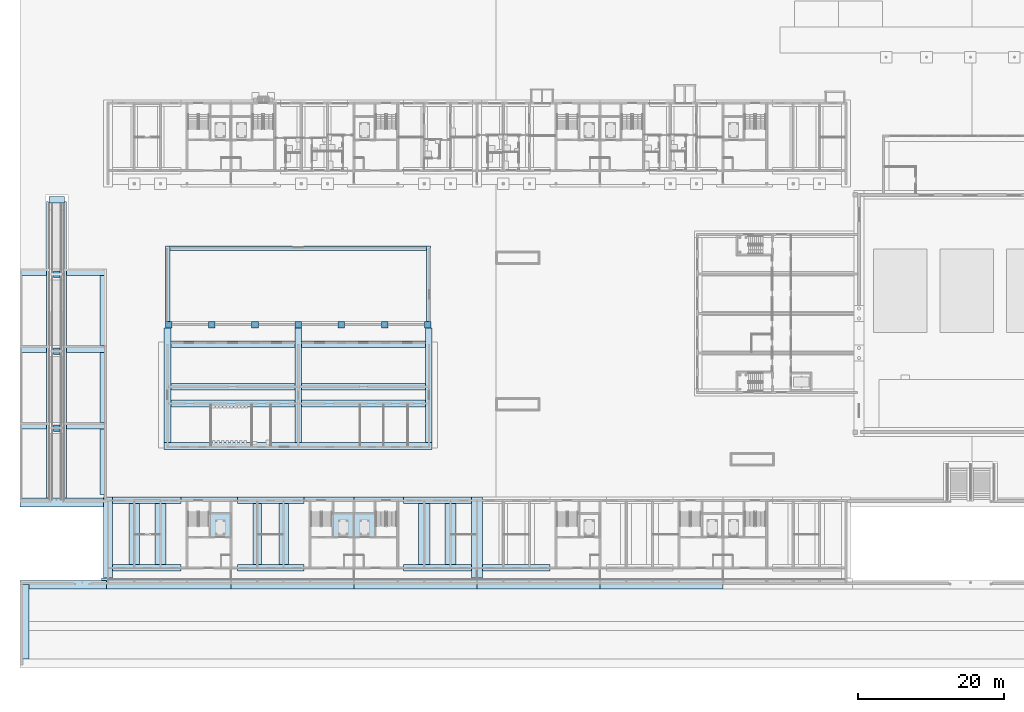
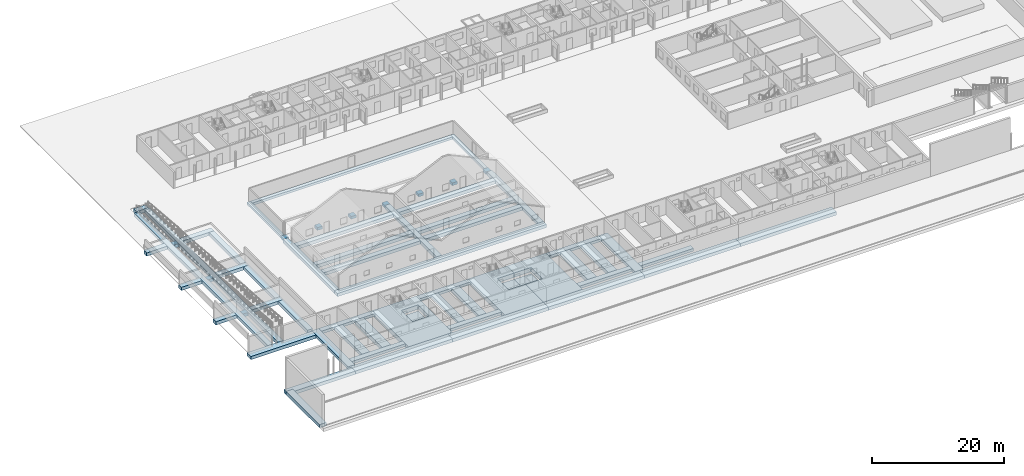
# One storey, part 1 of 112: 64 footings.
"""IFC4 building model written with IfcOpenShell, lengths in metres."""

from ifc_helpers import new_model, si_unit, direction, frame, origin, place, context, subcontext, project, spatial, polyline, outline, extrude, material, type_object, element, save


model = new_model("IFC4")

# Units and contexts
model_context = context("Model", 3, precision=1e-05, world=origin(), true_north=direction((0.0, 1.0)))
body_context = subcontext(model_context, "Body", "Model", "MODEL_VIEW")
ifc_project = project(units=[si_unit("LENGTHUNIT", "METRE"), si_unit("AREAUNIT", "SQUARE_METRE"), si_unit("VOLUMEUNIT", "CUBIC_METRE"), si_unit("PLANEANGLEUNIT", "RADIAN"), si_unit("MASSUNIT", "GRAM", prefix="KILO")], contexts=[model_context])

# Site, building, storey
site_placement = place(None, origin())
site = spatial("IfcSite", under=ifc_project, at=site_placement, CompositionType="ELEMENT")
building_placement = place(site_placement, origin())
building = spatial("IfcBuilding", under=site, at=building_placement, Name="Ridgestep Commons", CompositionType="ELEMENT")
storey_placement = place(building_placement, origin())
storey = spatial("IfcBuildingStorey", under=building, at=storey_placement, Name="L00", CompositionType="ELEMENT", Elevation=0.0)

# Footings
ifc_material_1 = material(Name="Concrete C30/37", Category="concrete")
footing_type_1 = type_object("IfcFootingType", Name="Community pad footing 900 x 900", PredefinedType="PAD_FOOTING", material=ifc_material_1)
footing_1_placement = place(storey_placement, frame((0.0, 0.0, -0.75)))
element("IfcFooting", 1, at=footing_1_placement, inside=storey, type_object=footing_type_1, Name="Pad footing 900 x 900", PredefinedType="PAD_FOOTING", context=body_context, shape_type="SweptSolid", body=[
    extrude(outline(polyline([(19.85009765625, 46.419921875), (20.75, 46.419921875), (20.75, 47.320068359375), (19.85009765625, 47.320068359375), (19.85009765625, 46.419921875)])), origin(), (0.0, 0.0, 1.0), 0.5),
])
footing_2_placement = place(storey_placement, frame((0.0, 0.0, -0.75)))
element("IfcFooting", 2, at=footing_2_placement, inside=storey, type_object=footing_type_1, Name="Pad footing 900 x 900", PredefinedType="PAD_FOOTING", context=body_context, shape_type="SweptSolid", body=[
    extrude(outline(polyline([(25.75, 46.419921875), (26.64990234375, 46.419921875), (26.64990234375, 47.320068359375), (25.75, 47.320068359375), (25.75, 46.419921875)])), origin(), (0.0, 0.0, 1.0), 0.5),
])
footing_3_placement = place(storey_placement, frame((0.0, 0.0, -0.75)))
element("IfcFooting", 3, at=footing_3_placement, inside=storey, type_object=footing_type_1, Name="Pad footing 900 x 900", PredefinedType="PAD_FOOTING", context=body_context, shape_type="SweptSolid", body=[
    extrude(outline(polyline([(31.64990234375, 46.419921875), (32.550048828125, 46.419921875), (32.550048828125, 47.320068359375), (31.64990234375, 47.320068359375), (31.64990234375, 46.419921875)])), origin(), (0.0, 0.0, 1.0), 0.5),
])
footing_4_placement = place(storey_placement, frame((0.0, 0.0, -0.75)))
element("IfcFooting", 4, at=footing_4_placement, inside=storey, type_object=footing_type_1, Name="Pad footing 900 x 900", PredefinedType="PAD_FOOTING", context=body_context, shape_type="SweptSolid", body=[
    extrude(outline(polyline([(37.550048828125, 46.419921875), (38.449951171875, 46.419921875), (38.449951171875, 47.320068359375), (37.550048828125, 47.320068359375), (37.550048828125, 46.419921875)])), origin(), (0.0, 0.0, 1.0), 0.5),
])
footing_5_placement = place(storey_placement, frame((0.0, 0.0, -0.75)))
element("IfcFooting", 5, at=footing_5_placement, inside=storey, type_object=footing_type_1, Name="Pad footing 900 x 900", PredefinedType="PAD_FOOTING", context=body_context, shape_type="SweptSolid", body=[
    extrude(outline(polyline([(43.449951171875, 46.419921875), (44.35009765625, 46.419921875), (44.35009765625, 47.320068359375), (43.449951171875, 47.320068359375), (43.449951171875, 46.419921875)])), origin(), (0.0, 0.0, 1.0), 0.5),
])
footing_6_placement = place(storey_placement, frame((0.0, 0.0, -0.75)))
element("IfcFooting", 6, at=footing_6_placement, inside=storey, type_object=footing_type_1, Name="Pad footing 900 x 900", PredefinedType="PAD_FOOTING", context=body_context, shape_type="SweptSolid", body=[
    extrude(outline(polyline([(49.35009765625, 46.419921875), (50.25, 46.419921875), (50.25, 47.320068359375), (49.35009765625, 47.320068359375), (49.35009765625, 46.419921875)])), origin(), (0.0, 0.0, 1.0), 0.5),
])
footing_7_placement = place(storey_placement, frame((0.0, 0.0, -0.75)))
element("IfcFooting", 7, at=footing_7_placement, inside=storey, type_object=footing_type_1, Name="Pad footing 900 x 900", PredefinedType="PAD_FOOTING", context=body_context, shape_type="SweptSolid", body=[
    extrude(outline(polyline([(55.25, 46.419921875), (56.14990234375, 46.419921875), (56.14990234375, 47.320068359375), (55.25, 47.320068359375), (55.25, 46.419921875)])), origin(), (0.0, 0.0, 1.0), 0.5),
])
ifc_material_2 = material(Name="Concrete C30/37", Category="concrete")
footing_type_2 = type_object("IfcFootingType", Name="Community strip footing 1200 x 600", PredefinedType="STRIP_FOOTING", material=ifc_material_2)
footing_8_placement = place(storey_placement, frame((0.0, 0.0, -0.85009765625)))
element("IfcFooting", 8, at=footing_8_placement, inside=storey, type_object=footing_type_2, Name="Strip footing 1200 x 600", PredefinedType="STRIP_FOOTING", context=body_context, shape_type="SweptSolid", body=[
    extrude(outline(polyline([(0.001953125, 22.0), (11.800048828125, 22.0), (11.800048828125, 23.199951171875), (0.001953125, 23.199951171875), (0.001953125, 22.0)])), origin(), (0.0, 0.0, 1.0), 0.60009765625),
])
footing_9_placement = place(storey_placement, frame((0.0, 0.0, -0.85009765625)))
element("IfcFooting", 9, at=footing_9_placement, inside=storey, type_object=footing_type_2, Name="Strip footing 1200 x 600", PredefinedType="STRIP_FOOTING", context=body_context, shape_type="SweptSolid", body=[
    extrude(outline(polyline([(0.001953125, 10.75), (11.800048828125, 10.75), (11.800048828125, 11.949951171875), (0.001953125, 11.949951171875), (0.001953125, 10.75)])), origin(), (0.0, 0.0, 1.0), 0.60009765625),
])
footing_10_placement = place(storey_placement, frame((0.0, 0.0, -0.85009765625)))
element("IfcFooting", 10, at=footing_10_placement, inside=storey, type_object=footing_type_2, Name="Strip footing 1200 x 600", PredefinedType="STRIP_FOOTING", context=body_context, shape_type="SweptSolid", body=[
    extrude(outline(polyline([(0.001953125, 1.199951171875), (1.201904296875, 1.199951171875), (1.201904296875, 11.35009765625), (0.001953125, 11.35009765625), (0.001953125, 1.199951171875)])), origin(), (0.0, 0.0, 1.0), 0.60009765625),
])
ifc_material_3 = material(Name="Concrete C30/37", Category="concrete")
footing_type_3 = type_object("IfcFootingType", Name="Community strip footing 600 x 450", PredefinedType="STRIP_FOOTING", material=ifc_material_3)
footing_11_placement = place(storey_placement, frame((0.0, 0.0, -0.699951171875)))
element("IfcFooting", 11, at=footing_11_placement, inside=storey, type_object=footing_type_3, Name="Community strip footing 600 x 450", PredefinedType="STRIP_FOOTING", context=body_context, shape_type="SweptSolid", body=[
    extrude(outline(polyline([(19.89990234375, 47.0), (20.5, 47.0), (20.5, 57.60009765625), (19.89990234375, 57.60009765625), (19.89990234375, 47.0)])), origin(), (0.0, 0.0, 1.0), 0.449951171875),
])
footing_12_placement = place(storey_placement, frame((0.0, 0.0, -0.699951171875)))
element("IfcFooting", 12, at=footing_12_placement, inside=storey, type_object=footing_type_3, Name="Community strip footing 600 x 450", PredefinedType="STRIP_FOOTING", context=body_context, shape_type="SweptSolid", body=[
    extrude(outline(polyline([(55.5, 47.0), (56.10009765625, 47.0), (56.10009765625, 57.60009765625), (55.5, 57.60009765625), (55.5, 47.0)])), origin(), (0.0, 0.0, 1.0), 0.449951171875),
])
footing_13_placement = place(storey_placement, frame((0.0, 0.0, -0.699951171875)))
element("IfcFooting", 13, at=footing_13_placement, inside=storey, type_object=footing_type_3, Name="Community strip footing 600 x 450", PredefinedType="STRIP_FOOTING", context=body_context, shape_type="SweptSolid", body=[
    extrude(outline(polyline([(20.5, 57.0), (55.5, 57.0), (55.5, 57.60009765625), (20.5, 57.60009765625), (20.5, 57.0)])), origin(), (0.0, 0.0, 1.0), 0.449951171875),
])
ifc_material_4 = material(Name="Concrete C30/37", Category="concrete")
footing_type_4 = type_object("IfcFootingType", Name="Community strip footing 900 x 600", PredefinedType="STRIP_FOOTING", material=ifc_material_4)
footing_14_placement = place(storey_placement, frame((0.0, 0.0, -0.85009765625)))
element("IfcFooting", 14, at=footing_14_placement, inside=storey, type_object=footing_type_4, Name="Community strip footing 900 x 600", PredefinedType="STRIP_FOOTING", context=body_context, shape_type="SweptSolid", body=[
    extrude(outline(polyline([(19.699951171875, 29.85009765625), (56.300048828125, 29.85009765625), (56.300048828125, 30.75), (19.699951171875, 30.75), (19.699951171875, 29.85009765625)])), origin(), (0.0, 0.0, 1.0), 0.60009765625),
])
footing_15_placement = place(storey_placement, frame((0.0, 0.0, -0.85009765625)))
element("IfcFooting", 15, at=footing_15_placement, inside=storey, type_object=footing_type_4, Name="Community strip footing 900 x 600", PredefinedType="STRIP_FOOTING", context=body_context, shape_type="SweptSolid", body=[
    extrude(outline(polyline([(20.60009765625, 43.75), (37.550048828125, 43.75), (37.550048828125, 44.64990234375), (20.60009765625, 44.64990234375), (20.60009765625, 43.75)])), origin(), (0.0, 0.0, 1.0), 0.60009765625),
])
footing_16_placement = place(storey_placement, frame((0.0, 0.0, -0.85009765625)))
element("IfcFooting", 16, at=footing_16_placement, inside=storey, type_object=footing_type_4, Name="Community strip footing 900 x 600", PredefinedType="STRIP_FOOTING", context=body_context, shape_type="SweptSolid", body=[
    extrude(outline(polyline([(38.449951171875, 43.75), (55.39990234375, 43.75), (55.39990234375, 44.64990234375), (38.449951171875, 44.64990234375), (38.449951171875, 43.75)])), origin(), (0.0, 0.0, 1.0), 0.60009765625),
])
footing_17_placement = place(storey_placement, frame((0.0, 0.0, -0.85009765625)))
element("IfcFooting", 17, at=footing_17_placement, inside=storey, type_object=footing_type_4, Name="Community strip footing 900 x 600", PredefinedType="STRIP_FOOTING", context=body_context, shape_type="SweptSolid", body=[
    extrude(outline(polyline([(19.699951171875, 30.75), (20.60009765625, 30.75), (20.60009765625, 46.419921875), (19.699951171875, 46.419921875), (19.699951171875, 30.75)])), origin(), (0.0, 0.0, 1.0), 0.60009765625),
])
footing_18_placement = place(storey_placement, frame((0.0, 0.0, -0.85009765625)))
element("IfcFooting", 18, at=footing_18_placement, inside=storey, type_object=footing_type_4, Name="Community strip footing 900 x 600", PredefinedType="STRIP_FOOTING", context=body_context, shape_type="SweptSolid", body=[
    extrude(outline(polyline([(55.39990234375, 30.75), (56.300048828125, 30.75), (56.300048828125, 46.419921875), (55.39990234375, 46.419921875), (55.39990234375, 30.75)])), origin(), (0.0, 0.0, 1.0), 0.60009765625),
])
footing_19_placement = place(storey_placement, frame((0.0, 0.0, -0.85009765625)))
element("IfcFooting", 19, at=footing_19_placement, inside=storey, type_object=footing_type_4, Name="Community strip footing 900 x 600", PredefinedType="STRIP_FOOTING", context=body_context, shape_type="SweptSolid", body=[
    extrude(outline(polyline([(37.550048828125, 30.75), (38.449951171875, 30.75), (38.449951171875, 46.419921875), (37.550048828125, 46.419921875), (37.550048828125, 30.75)])), origin(), (0.0, 0.0, 1.0), 0.60009765625),
])
footing_20_placement = place(storey_placement, frame((0.0, 0.0, -0.85009765625)))
element("IfcFooting", 20, at=footing_20_placement, inside=storey, type_object=footing_type_4, Name="Community strip footing 900 x 600", PredefinedType="STRIP_FOOTING", context=body_context, shape_type="SweptSolid", body=[
    extrude(outline(polyline([(20.60009765625, 35.64990234375), (37.550048828125, 35.64990234375), (37.550048828125, 36.550048828125), (20.60009765625, 36.550048828125), (20.60009765625, 35.64990234375)])), origin(), (0.0, 0.0, 1.0), 0.60009765625),
])
footing_21_placement = place(storey_placement, frame((0.0, 0.0, -0.85009765625)))
element("IfcFooting", 21, at=footing_21_placement, inside=storey, type_object=footing_type_4, Name="Community strip footing 900 x 600", PredefinedType="STRIP_FOOTING", context=body_context, shape_type="SweptSolid", body=[
    extrude(outline(polyline([(38.449951171875, 35.64990234375), (55.39990234375, 35.64990234375), (55.39990234375, 36.550048828125), (38.449951171875, 36.550048828125), (38.449951171875, 35.64990234375)])), origin(), (0.0, 0.0, 1.0), 0.60009765625),
])
footing_22_placement = place(storey_placement, frame((0.0, 0.0, -0.85009765625)))
element("IfcFooting", 22, at=footing_22_placement, inside=storey, type_object=footing_type_4, Name="Community strip footing 900 x 600", PredefinedType="STRIP_FOOTING", context=body_context, shape_type="SweptSolid", body=[
    extrude(outline(polyline([(20.60009765625, 37.949951171875), (37.550048828125, 37.949951171875), (37.550048828125, 38.85009765625), (20.60009765625, 38.85009765625), (20.60009765625, 37.949951171875)])), origin(), (0.0, 0.0, 1.0), 0.60009765625),
])
footing_23_placement = place(storey_placement, frame((0.0, 0.0, -0.85009765625)))
element("IfcFooting", 23, at=footing_23_placement, inside=storey, type_object=footing_type_4, Name="Community strip footing 900 x 600", PredefinedType="STRIP_FOOTING", context=body_context, shape_type="SweptSolid", body=[
    extrude(outline(polyline([(38.449951171875, 37.949951171875), (55.39990234375, 37.949951171875), (55.39990234375, 38.85009765625), (38.449951171875, 38.85009765625), (38.449951171875, 37.949951171875)])), origin(), (0.0, 0.0, 1.0), 0.60009765625),
])
footing_24_placement = place(storey_placement, frame((0.0, 0.0, -0.85009765625)))
element("IfcFooting", 24, at=footing_24_placement, inside=storey, type_object=footing_type_4, Name="Strip footing 900 x 600", PredefinedType="STRIP_FOOTING", context=body_context, shape_type="SweptSolid", body=[
    extrude(outline(polyline([(3.64990234375, 22.800048828125), (4.550048828125, 22.800048828125), (4.550048828125, 63.699951171875), (3.64990234375, 63.699951171875), (3.64990234375, 22.800048828125)])), origin(), (0.0, 0.0, 1.0), 0.60009765625),
])
footing_25_placement = place(storey_placement, frame((0.0, 0.0, -0.85009765625)))
element("IfcFooting", 25, at=footing_25_placement, inside=storey, type_object=footing_type_4, Name="Strip footing 900 x 600", PredefinedType="STRIP_FOOTING", context=body_context, shape_type="SweptSolid", body=[
    extrude(outline(polyline([(5.449951171875, 22.800048828125), (6.35009765625, 22.800048828125), (6.35009765625, 63.699951171875), (5.449951171875, 63.699951171875), (5.449951171875, 22.800048828125)])), origin(), (0.0, 0.0, 1.0), 0.60009765625),
])
footing_26_placement = place(storey_placement, frame((0.0, 0.0, -0.60009765625)))
element("IfcFooting", 26, at=footing_26_placement, inside=storey, type_object=footing_type_4, Name="Ramp foot footing", PredefinedType="STRIP_FOOTING", context=body_context, shape_type="SweptSolid", body=[
    extrude(outline(polyline([(3.949951171875, 63.49951171875), (6.050048828125, 63.49951171875), (6.050048828125, 64.39990234375), (3.949951171875, 64.39990234375), (3.949951171875, 63.49951171875)])), origin(), (0.0, 0.0, 1.0), 0.60009765625),
])
footing_27_placement = place(storey_placement, frame((0.0, 0.0, -0.85009765625)))
element("IfcFooting", 27, at=footing_27_placement, inside=storey, type_object=footing_type_4, Name="Strip footing 900 x 600", PredefinedType="STRIP_FOOTING", context=body_context, shape_type="SweptSolid", body=[
    extrude(outline(polyline([(4.550048828125, 53.300048828125), (5.449951171875, 53.300048828125), (5.449951171875, 54.199951171875), (4.550048828125, 54.199951171875), (4.550048828125, 53.300048828125)])), origin(), (0.0, 0.0, 1.0), 0.60009765625),
])
footing_28_placement = place(storey_placement, frame((0.0, 0.0, -0.85009765625)))
element("IfcFooting", 28, at=footing_28_placement, inside=storey, type_object=footing_type_4, Name="Strip footing 900 x 600", PredefinedType="STRIP_FOOTING", context=body_context, shape_type="SweptSolid", body=[
    extrude(outline(polyline([(4.550048828125, 42.800048828125), (5.449951171875, 42.800048828125), (5.449951171875, 43.699951171875), (4.550048828125, 43.699951171875), (4.550048828125, 42.800048828125)])), origin(), (0.0, 0.0, 1.0), 0.60009765625),
])
footing_29_placement = place(storey_placement, frame((0.0, 0.0, -0.85009765625)))
element("IfcFooting", 29, at=footing_29_placement, inside=storey, type_object=footing_type_4, Name="Strip footing 900 x 600", PredefinedType="STRIP_FOOTING", context=body_context, shape_type="SweptSolid", body=[
    extrude(outline(polyline([(4.550048828125, 32.300048828125), (5.449951171875, 32.300048828125), (5.449951171875, 33.199951171875), (4.550048828125, 33.199951171875), (4.550048828125, 32.300048828125)])), origin(), (0.0, 0.0, 1.0), 0.60009765625),
])
footing_30_placement = place(storey_placement, frame((0.0, 0.0, -0.85009765625)))
element("IfcFooting", 30, at=footing_30_placement, inside=storey, type_object=footing_type_4, Name="Strip footing 900 x 600", PredefinedType="STRIP_FOOTING", context=body_context, shape_type="SweptSolid", body=[
    extrude(outline(polyline([(10.89990234375, 44.0), (11.800048828125, 44.0), (11.800048828125, 53.60009765625), (10.89990234375, 53.60009765625), (10.89990234375, 44.0)])), origin(), (0.0, 0.0, 1.0), 0.60009765625),
])
footing_31_placement = place(storey_placement, frame((0.0, 0.0, -0.85009765625)))
element("IfcFooting", 31, at=footing_31_placement, inside=storey, type_object=footing_type_4, Name="Strip footing 900 x 600", PredefinedType="STRIP_FOOTING", context=body_context, shape_type="SweptSolid", body=[
    extrude(outline(polyline([(0.010009765625, 53.60009765625), (3.64990234375, 53.60009765625), (3.64990234375, 54.5), (0.010009765625, 54.5), (0.010009765625, 53.60009765625)])), origin(), (0.0, 0.0, 1.0), 0.60009765625),
])
footing_32_placement = place(storey_placement, frame((0.0, 0.0, -0.85009765625)))
element("IfcFooting", 32, at=footing_32_placement, inside=storey, type_object=footing_type_4, Name="Strip footing 900 x 600", PredefinedType="STRIP_FOOTING", context=body_context, shape_type="SweptSolid", body=[
    extrude(outline(polyline([(6.35009765625, 53.60009765625), (11.800048828125, 53.60009765625), (11.800048828125, 54.5), (6.35009765625, 54.5), (6.35009765625, 53.60009765625)])), origin(), (0.0, 0.0, 1.0), 0.60009765625),
])
footing_33_placement = place(storey_placement, frame((0.0, 0.0, -0.85009765625)))
element("IfcFooting", 33, at=footing_33_placement, inside=storey, type_object=footing_type_4, Name="Strip footing 900 x 600", PredefinedType="STRIP_FOOTING", context=body_context, shape_type="SweptSolid", body=[
    extrude(outline(polyline([(10.89990234375, 33.5), (11.800048828125, 33.5), (11.800048828125, 43.10009765625), (10.89990234375, 43.10009765625), (10.89990234375, 33.5)])), origin(), (0.0, 0.0, 1.0), 0.60009765625),
])
footing_34_placement = place(storey_placement, frame((0.0, 0.0, -0.85009765625)))
element("IfcFooting", 34, at=footing_34_placement, inside=storey, type_object=footing_type_4, Name="Strip footing 900 x 600", PredefinedType="STRIP_FOOTING", context=body_context, shape_type="SweptSolid", body=[
    extrude(outline(polyline([(0.010009765625, 43.10009765625), (3.64990234375, 43.10009765625), (3.64990234375, 44.0), (0.010009765625, 44.0), (0.010009765625, 43.10009765625)])), origin(), (0.0, 0.0, 1.0), 0.60009765625),
])
footing_35_placement = place(storey_placement, frame((0.0, 0.0, -0.85009765625)))
element("IfcFooting", 35, at=footing_35_placement, inside=storey, type_object=footing_type_4, Name="Strip footing 900 x 600", PredefinedType="STRIP_FOOTING", context=body_context, shape_type="SweptSolid", body=[
    extrude(outline(polyline([(6.35009765625, 43.10009765625), (11.800048828125, 43.10009765625), (11.800048828125, 44.0), (6.35009765625, 44.0), (6.35009765625, 43.10009765625)])), origin(), (0.0, 0.0, 1.0), 0.60009765625),
])
footing_36_placement = place(storey_placement, frame((0.0, 0.0, -0.85009765625)))
element("IfcFooting", 36, at=footing_36_placement, inside=storey, type_object=footing_type_4, Name="Strip footing 900 x 600", PredefinedType="STRIP_FOOTING", context=body_context, shape_type="SweptSolid", body=[
    extrude(outline(polyline([(10.89990234375, 23.699951171875), (11.800048828125, 23.699951171875), (11.800048828125, 32.60009765625), (10.89990234375, 32.60009765625), (10.89990234375, 23.699951171875)])), origin(), (0.0, 0.0, 1.0), 0.60009765625),
])
footing_37_placement = place(storey_placement, frame((0.0, 0.0, -0.85009765625)))
element("IfcFooting", 37, at=footing_37_placement, inside=storey, type_object=footing_type_4, Name="Strip footing 900 x 600", PredefinedType="STRIP_FOOTING", context=body_context, shape_type="SweptSolid", body=[
    extrude(outline(polyline([(0.010009765625, 32.60009765625), (3.64990234375, 32.60009765625), (3.64990234375, 33.5), (0.010009765625, 33.5), (0.010009765625, 32.60009765625)])), origin(), (0.0, 0.0, 1.0), 0.60009765625),
])
footing_38_placement = place(storey_placement, frame((0.0, 0.0, -0.85009765625)))
element("IfcFooting", 38, at=footing_38_placement, inside=storey, type_object=footing_type_4, Name="Strip footing 900 x 600", PredefinedType="STRIP_FOOTING", context=body_context, shape_type="SweptSolid", body=[
    extrude(outline(polyline([(6.35009765625, 32.60009765625), (11.800048828125, 32.60009765625), (11.800048828125, 33.5), (6.35009765625, 33.5), (6.35009765625, 32.60009765625)])), origin(), (0.0, 0.0, 1.0), 0.60009765625),
])
ifc_material_5 = material(Name="Concrete C30/37", Category="concrete")
footing_type_5 = type_object("IfcFootingType", Name="Core footing 6800 x 11075 x 800", PredefinedType="PAD_FOOTING", material=ifc_material_5)
footing_39_placement = place(storey_placement, frame((0.0, 0.0, -1.050048828125)))
element("IfcFooting", 39, at=footing_39_placement, inside=storey, type_object=footing_type_5, Name="Core footing A2C", PredefinedType="PAD_FOOTING", context=body_context, shape_type="SweptSolid", body=[
    extrude(outline(polyline([(45.60009765625, 12.25), (45.60009765625, 17.75), (42.625, 17.75), (42.625, 21.14990234375), (45.60009765625, 21.14990234375), (45.60009765625, 23.324951171875), (38.800048828125, 23.324951171875), (38.800048828125, 12.25), (45.60009765625, 12.25)])), origin(), (0.0, 0.0, 1.0), 0.800048828125),
])
footing_40_placement = place(storey_placement, frame((0.0, 0.0, -1.050048828125)))
element("IfcFooting", 40, at=footing_40_placement, inside=storey, type_object=footing_type_5, Name="Core footing A3C", PredefinedType="PAD_FOOTING", context=body_context, shape_type="SweptSolid", body=[
    extrude(outline(polyline([(45.60009765625, 23.324951171875), (45.60009765625, 21.14990234375), (48.574951171875, 21.14990234375), (48.574951171875, 17.75), (45.60009765625, 17.75), (45.60009765625, 12.25), (52.39990234375, 12.25), (52.39990234375, 23.324951171875), (45.60009765625, 23.324951171875)])), origin(), (0.0, 0.0, 1.0), 0.800048828125),
])
ifc_material_6 = material(Name="Concrete C30/37", Category="concrete")
footing_type_6 = type_object("IfcFootingType", Name="Core footing 7700 x 11075 x 800", PredefinedType="PAD_FOOTING", material=ifc_material_6)
footing_41_placement = place(storey_placement, frame((0.0, 0.0, -1.050048828125)))
element("IfcFooting", 41, at=footing_41_placement, inside=storey, type_object=footing_type_6, Name="Core footing A1C", PredefinedType="PAD_FOOTING", context=body_context, shape_type="SweptSolid", body=[
    extrude(outline(polyline([(22.0, 12.25), (29.699951171875, 12.25), (29.699951171875, 23.324951171875), (22.0, 23.324951171875), (22.0, 12.25)]), holes=[polyline([(28.800048828125, 21.14990234375), (28.800048828125, 17.75), (25.824951171875, 17.75), (25.824951171875, 21.14990234375), (28.800048828125, 21.14990234375)])]), origin(), (0.0, 0.0, 1.0), 0.800048828125),
])
ifc_material_7 = material(Name="Concrete C30/37", Category="concrete")
footing_type_7 = type_object("IfcFootingType", Name="Lift pit footing 2975 x 3400 x 400", PredefinedType="PAD_FOOTING", material=ifc_material_7)
footing_42_placement = place(storey_placement, frame((0.0, 0.0, -1.800048828125)))
element("IfcFooting", 42, at=footing_42_placement, inside=storey, type_object=footing_type_7, Name="Lift pit footing A1C", PredefinedType="PAD_FOOTING", context=body_context, shape_type="SweptSolid", body=[
    extrude(outline(polyline([(28.800048828125, 17.75), (28.800048828125, 21.14990234375), (25.824951171875, 21.14990234375), (25.824951171875, 17.75), (28.800048828125, 17.75)])), origin(), (0.0, 0.0, 1.0), 0.400146484375),
])
footing_43_placement = place(storey_placement, frame((0.0, 0.0, -1.800048828125)))
element("IfcFooting", 43, at=footing_43_placement, inside=storey, type_object=footing_type_7, Name="Lift pit footing A2C", PredefinedType="PAD_FOOTING", context=body_context, shape_type="SweptSolid", body=[
    extrude(outline(polyline([(45.60009765625, 17.75), (45.60009765625, 21.14990234375), (42.625, 21.14990234375), (42.625, 17.75), (45.60009765625, 17.75)])), origin(), (0.0, 0.0, 1.0), 0.400146484375),
])
footing_44_placement = place(storey_placement, frame((0.0, 0.0, -1.800048828125)))
element("IfcFooting", 44, at=footing_44_placement, inside=storey, type_object=footing_type_7, Name="Lift pit footing A3C", PredefinedType="PAD_FOOTING", context=body_context, shape_type="SweptSolid", body=[
    extrude(outline(polyline([(48.574951171875, 17.75), (48.574951171875, 21.14990234375), (45.60009765625, 21.14990234375), (45.60009765625, 17.75), (48.574951171875, 17.75)])), origin(), (0.0, 0.0, 1.0), 0.400146484375),
])
ifc_material_8 = material(Name="Concrete C30/37", Category="concrete")
footing_type_8 = type_object("IfcFootingType", Name="Strip footing 1200 x 500", PredefinedType="STRIP_FOOTING", material=ifc_material_8)
footing_45_placement = place(storey_placement, frame((0.0, 0.0, -0.75)))
element("IfcFooting", 45, at=footing_45_placement, inside=storey, type_object=footing_type_8, Name="Strip footing A line 0120", PredefinedType="STRIP_FOOTING", context=body_context, shape_type="SweptSolid", body=[
    extrude(outline(polyline([(12.60009765625, 12.25), (12.60009765625, 23.324951171875), (11.39990234375, 23.324951171875), (11.39990234375, 12.25), (12.60009765625, 12.25)])), origin(), (0.0, 0.0, 1.0), 0.5),
])
footing_46_placement = place(storey_placement, frame((0.0, 0.0, -0.75)))
element("IfcFooting", 46, at=footing_46_placement, inside=storey, type_object=footing_type_8, Name="Strip footing A line 0324", PredefinedType="STRIP_FOOTING", context=body_context, shape_type="SweptSolid", body=[
    extrude(outline(polyline([(33.0, 14.10009765625), (33.0, 22.425048828125), (31.800048828125, 22.425048828125), (31.800048828125, 14.10009765625), (33.0, 14.10009765625)])), origin(), (0.0, 0.0, 1.0), 0.5),
])
ifc_material_9 = material(Name="Concrete C30/37", Category="concrete")
footing_type_9 = type_object("IfcFootingType", Name="Strip footing 1300 x 600", PredefinedType="STRIP_FOOTING", material=ifc_material_9)
footing_47_placement = place(storey_placement, frame((0.0, 0.0, -0.85009765625)))
element("IfcFooting", 47, at=footing_47_placement, inside=storey, type_object=footing_type_9, Name="Strip footing A line 0360", PredefinedType="STRIP_FOOTING", context=body_context, shape_type="SweptSolid", body=[
    extrude(outline(polyline([(36.64990234375, 14.10009765625), (36.64990234375, 22.425048828125), (35.35009765625, 22.425048828125), (35.35009765625, 14.10009765625), (36.64990234375, 14.10009765625)])), origin(), (0.0, 0.0, 1.0), 0.60009765625),
])
ifc_material_10 = material(Name="Concrete C30/37", Category="concrete")
footing_type_10 = type_object("IfcFootingType", Name="Strip footing 1400 x 600", PredefinedType="STRIP_FOOTING", material=ifc_material_10)
footing_48_placement = place(storey_placement, frame((0.0, 0.0, -0.85009765625)))
element("IfcFooting", 48, at=footing_48_placement, inside=storey, type_object=footing_type_10, Name="Strip footing A line 0156", PredefinedType="STRIP_FOOTING", context=body_context, shape_type="SweptSolid", body=[
    extrude(outline(polyline([(16.300048828125, 14.10009765625), (16.300048828125, 22.425048828125), (14.89990234375, 22.425048828125), (14.89990234375, 14.10009765625), (16.300048828125, 14.10009765625)])), origin(), (0.0, 0.0, 1.0), 0.60009765625),
])
ifc_material_11 = material(Name="Concrete C30/37", Category="concrete")
footing_type_11 = type_object("IfcFootingType", Name="Strip footing 1500 x 600", PredefinedType="STRIP_FOOTING", material=ifc_material_11)
footing_49_placement = place(storey_placement, frame((0.0, 0.0, -0.85009765625)))
element("IfcFooting", 49, at=footing_49_placement, inside=storey, type_object=footing_type_11, Name="Strip footing A line 0624", PredefinedType="STRIP_FOOTING", context=body_context, shape_type="SweptSolid", body=[
    extrude(outline(polyline([(63.14990234375, 12.25), (63.14990234375, 23.324951171875), (61.64990234375, 23.324951171875), (61.64990234375, 12.25), (63.14990234375, 12.25)])), origin(), (0.0, 0.0, 1.0), 0.60009765625),
])
footing_50_placement = place(storey_placement, frame((0.0, 0.0, -0.85009765625)))
element("IfcFooting", 50, at=footing_50_placement, inside=storey, type_object=footing_type_11, Name="Retaining wall strip footing A south 1", PredefinedType="STRIP_FOOTING", context=body_context, shape_type="SweptSolid", body=[
    extrude(outline(polyline([(28.800048828125, 10.75), (28.800048828125, 12.25), (11.10009765625, 12.25), (11.10009765625, 10.75), (28.800048828125, 10.75)])), origin(), (0.0, 0.0, 1.0), 0.60009765625),
])
footing_51_placement = place(storey_placement, frame((0.0, 0.0, -0.85009765625)))
element("IfcFooting", 51, at=footing_51_placement, inside=storey, type_object=footing_type_11, Name="Retaining wall strip footing A south 2", PredefinedType="STRIP_FOOTING", context=body_context, shape_type="SweptSolid", body=[
    extrude(outline(polyline([(45.60009765625, 10.75), (45.60009765625, 12.25), (28.800048828125, 12.25), (28.800048828125, 10.75), (45.60009765625, 10.75)])), origin(), (0.0, 0.0, 1.0), 0.60009765625),
])
footing_52_placement = place(storey_placement, frame((0.0, 0.0, -0.85009765625)))
element("IfcFooting", 52, at=footing_52_placement, inside=storey, type_object=footing_type_11, Name="Retaining wall strip footing A south 3", PredefinedType="STRIP_FOOTING", context=body_context, shape_type="SweptSolid", body=[
    extrude(outline(polyline([(62.39990234375, 10.75), (62.39990234375, 12.25), (45.60009765625, 12.25), (45.60009765625, 10.75), (62.39990234375, 10.75)])), origin(), (0.0, 0.0, 1.0), 0.60009765625),
])
footing_53_placement = place(storey_placement, frame((0.0, 0.0, -0.85009765625)))
element("IfcFooting", 53, at=footing_53_placement, inside=storey, type_object=footing_type_11, Name="Retaining wall strip footing A south 4", PredefinedType="STRIP_FOOTING", context=body_context, shape_type="SweptSolid", body=[
    extrude(outline(polyline([(79.199951171875, 10.75), (79.199951171875, 12.25), (62.39990234375, 12.25), (62.39990234375, 10.75), (79.199951171875, 10.75)])), origin(), (0.0, 0.0, 1.0), 0.60009765625),
])
footing_54_placement = place(storey_placement, frame((0.0, 0.0, -0.85009765625)))
element("IfcFooting", 54, at=footing_54_placement, inside=storey, type_object=footing_type_11, Name="Retaining wall strip footing A south 5", PredefinedType="STRIP_FOOTING", context=body_context, shape_type="SweptSolid", body=[
    extrude(outline(polyline([(96.0, 10.75), (96.0, 12.25), (79.199951171875, 12.25), (79.199951171875, 10.75), (96.0, 10.75)])), origin(), (0.0, 0.0, 1.0), 0.60009765625),
])
ifc_material_12 = material(Name="Concrete C30/37", Category="concrete")
footing_type_12 = type_object("IfcFootingType", Name="Strip footing 1500 x 700", PredefinedType="STRIP_FOOTING", material=ifc_material_12)
footing_55_placement = place(storey_placement, frame((0.0, 0.0, -0.949951171875)))
element("IfcFooting", 55, at=footing_55_placement, inside=storey, type_object=footing_type_12, Name="Strip footing A line 0192", PredefinedType="STRIP_FOOTING", context=body_context, shape_type="SweptSolid", body=[
    extrude(outline(polyline([(19.949951171875, 14.10009765625), (19.949951171875, 22.425048828125), (18.449951171875, 22.425048828125), (18.449951171875, 14.10009765625), (19.949951171875, 14.10009765625)])), origin(), (0.0, 0.0, 1.0), 0.699951171875),
])
footing_56_placement = place(storey_placement, frame((0.0, 0.0, -0.949951171875)))
element("IfcFooting", 56, at=footing_56_placement, inside=storey, type_object=footing_type_12, Name="Strip footing A line 0588", PredefinedType="STRIP_FOOTING", context=body_context, shape_type="SweptSolid", body=[
    extrude(outline(polyline([(59.550048828125, 14.10009765625), (59.550048828125, 22.425048828125), (58.050048828125, 22.425048828125), (58.050048828125, 14.10009765625), (59.550048828125, 14.10009765625)])), origin(), (0.0, 0.0, 1.0), 0.699951171875),
])
ifc_material_13 = material(Name="Concrete C30/37", Category="concrete")
footing_type_13 = type_object("IfcFootingType", Name="Strip footing 1600 x 700", PredefinedType="STRIP_FOOTING", material=ifc_material_13)
footing_57_placement = place(storey_placement, frame((0.0, 0.0, -0.949951171875)))
element("IfcFooting", 57, at=footing_57_placement, inside=storey, type_object=footing_type_13, Name="Strip footing A line 0552", PredefinedType="STRIP_FOOTING", context=body_context, shape_type="SweptSolid", body=[
    extrude(outline(polyline([(56.0, 14.10009765625), (56.0, 22.425048828125), (54.39990234375, 22.425048828125), (54.39990234375, 14.10009765625), (56.0, 14.10009765625)])), origin(), (0.0, 0.0, 1.0), 0.699951171875),
])
ifc_material_14 = material(Name="Concrete C30/37", Category="concrete")
footing_type_14 = type_object("IfcFootingType", Name="Strip footing 900 x 500", PredefinedType="STRIP_FOOTING", material=ifc_material_14)
footing_58_placement = place(storey_placement, frame((0.0, 0.0, -0.75)))
element("IfcFooting", 58, at=footing_58_placement, inside=storey, type_object=footing_type_14, Name="Facade strip footing A N01", PredefinedType="STRIP_FOOTING", context=body_context, shape_type="SweptSolid", body=[
    extrude(outline(polyline([(22.0, 22.425048828125), (22.0, 23.324951171875), (12.60009765625, 23.324951171875), (12.60009765625, 22.425048828125), (22.0, 22.425048828125)])), origin(), (0.0, 0.0, 1.0), 0.5),
])
footing_59_placement = place(storey_placement, frame((0.0, 0.0, -0.75)))
element("IfcFooting", 59, at=footing_59_placement, inside=storey, type_object=footing_type_14, Name="Facade strip footing A N02", PredefinedType="STRIP_FOOTING", context=body_context, shape_type="SweptSolid", body=[
    extrude(outline(polyline([(38.800048828125, 22.425048828125), (38.800048828125, 23.324951171875), (29.699951171875, 23.324951171875), (29.699951171875, 22.425048828125), (38.800048828125, 22.425048828125)])), origin(), (0.0, 0.0, 1.0), 0.5),
])
footing_60_placement = place(storey_placement, frame((0.0, 0.0, -0.75)))
element("IfcFooting", 60, at=footing_60_placement, inside=storey, type_object=footing_type_14, Name="Facade strip footing A N03", PredefinedType="STRIP_FOOTING", context=body_context, shape_type="SweptSolid", body=[
    extrude(outline(polyline([(61.64990234375, 22.425048828125), (61.64990234375, 23.324951171875), (52.39990234375, 23.324951171875), (52.39990234375, 22.425048828125), (61.64990234375, 22.425048828125)])), origin(), (0.0, 0.0, 1.0), 0.5),
])
footing_61_placement = place(storey_placement, frame((0.0, 0.0, -0.75)))
element("IfcFooting", 61, at=footing_61_placement, inside=storey, type_object=footing_type_14, Name="Facade strip footing A S01", PredefinedType="STRIP_FOOTING", context=body_context, shape_type="SweptSolid", body=[
    extrude(outline(polyline([(22.0, 13.199951171875), (22.0, 14.10009765625), (12.60009765625, 14.10009765625), (12.60009765625, 13.199951171875), (22.0, 13.199951171875)])), origin(), (0.0, 0.0, 1.0), 0.5),
])
footing_62_placement = place(storey_placement, frame((0.0, 0.0, -0.75)))
element("IfcFooting", 62, at=footing_62_placement, inside=storey, type_object=footing_type_14, Name="Facade strip footing A S02", PredefinedType="STRIP_FOOTING", context=body_context, shape_type="SweptSolid", body=[
    extrude(outline(polyline([(38.800048828125, 13.199951171875), (38.800048828125, 14.10009765625), (29.699951171875, 14.10009765625), (29.699951171875, 13.199951171875), (38.800048828125, 13.199951171875)])), origin(), (0.0, 0.0, 1.0), 0.5),
])
footing_63_placement = place(storey_placement, frame((0.0, 0.0, -0.75)))
element("IfcFooting", 63, at=footing_63_placement, inside=storey, type_object=footing_type_14, Name="Facade strip footing A S03", PredefinedType="STRIP_FOOTING", context=body_context, shape_type="SweptSolid", body=[
    extrude(outline(polyline([(61.64990234375, 13.199951171875), (61.64990234375, 14.10009765625), (52.39990234375, 14.10009765625), (52.39990234375, 13.199951171875), (61.64990234375, 13.199951171875)])), origin(), (0.0, 0.0, 1.0), 0.5),
])
footing_64_placement = place(storey_placement, frame((0.0, 0.0, -0.75)))
element("IfcFooting", 64, at=footing_64_placement, inside=storey, type_object=footing_type_14, Name="Facade strip footing A S04", PredefinedType="STRIP_FOOTING", context=body_context, shape_type="SweptSolid", body=[
    extrude(outline(polyline([(72.39990234375, 13.199951171875), (72.39990234375, 14.10009765625), (63.14990234375, 14.10009765625), (63.14990234375, 13.199951171875), (72.39990234375, 13.199951171875)])), origin(), (0.0, 0.0, 1.0), 0.5),
])

save(model, "model.ifc")
